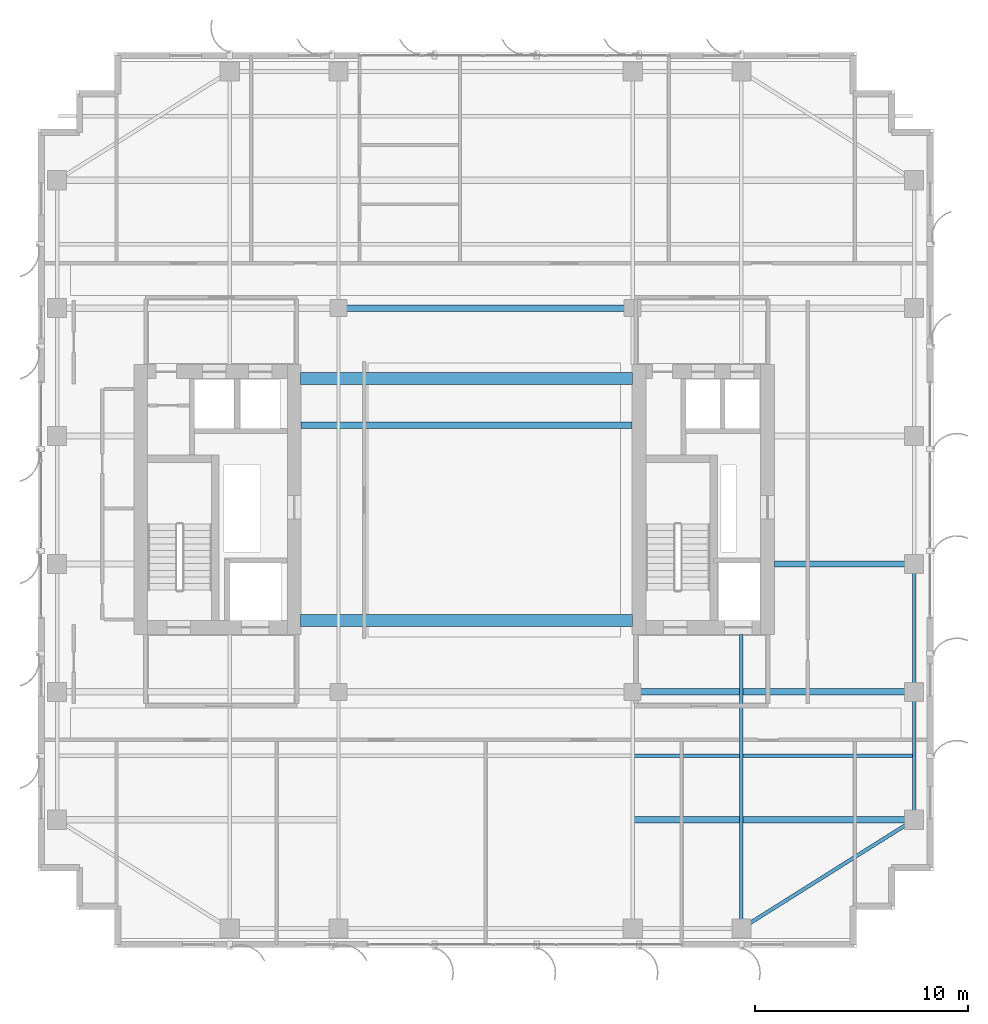
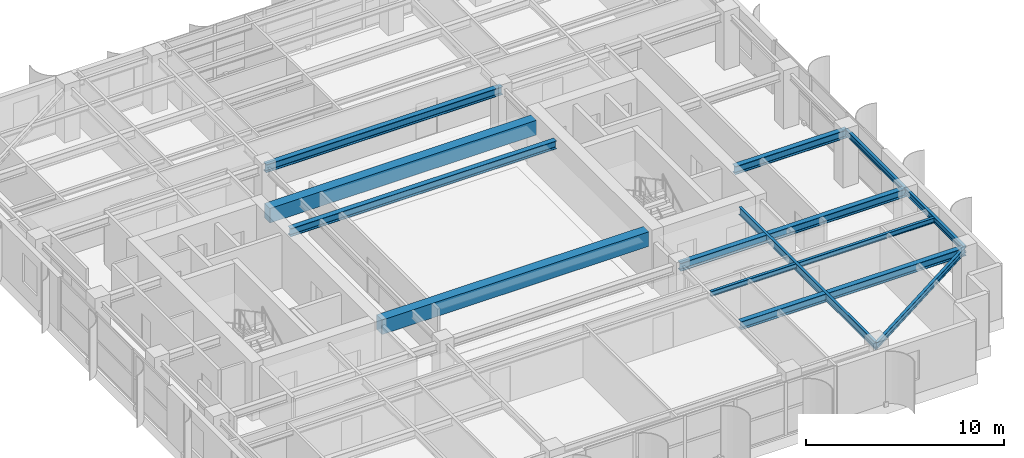
# One storey, part 10 of 25: 12 beams.
"""IFC4 building model written with IfcOpenShell, lengths in metres."""

from ifc_helpers import new_model, si_unit, direction, frame, origin, origin_2d, place, context, subcontext, project, spatial, rectangle, i_section, extrude, source, transform, mapped, material, material_profile, profile_set, type_object, element, save


model = new_model("IFC4")

# Units and contexts
model_context = context("Model", 3, precision=1e-05, world=origin(), true_north=direction((0.0, 1.0)))
body_context = subcontext(model_context, "Body", "Model", "MODEL_VIEW")
ifc_project = project(units=[si_unit("LENGTHUNIT", "METRE"), si_unit("AREAUNIT", "SQUARE_METRE"), si_unit("VOLUMEUNIT", "CUBIC_METRE"), si_unit("PLANEANGLEUNIT", "RADIAN"), si_unit("MASSUNIT", "GRAM", prefix="KILO")], contexts=[model_context])

# Site, building, storey
site_placement = place(None, origin())
site = spatial("IfcSite", under=ifc_project, at=site_placement, CompositionType="ELEMENT")
building_placement = place(site_placement, origin())
building = spatial("IfcBuilding", under=site, at=building_placement, Name="Khoralis Quay Care Tower", CompositionType="ELEMENT")
storey_placement = place(building_placement, frame((0.0, 0.0, 216.89990234375)))
storey = spatial("IfcBuildingStorey", under=building, at=storey_placement, Name="L57", CompositionType="ELEMENT", Elevation=216.89990234375)

# Beams
ifc_material_1 = material(Name="Concrete C65/80", Category="concrete")
ifc_material_profile_1 = material_profile(ifc_material_1, rectangle(XDim=0.550048828125, YDim=0.89990234375, at=origin_2d()), Name="Concrete C65/80")
ifc_profile_set_1 = profile_set([ifc_material_profile_1], Name="Concrete C65/80")
beam_type_1 = type_object("IfcBeamType", Name="CB-RC550X900", PredefinedType="LINTEL", material=ifc_profile_set_1)
shared_shape_1 = source(origin(), body_context, "Body", "SweptSolid", [
    extrude(rectangle(XDim=0.550048828125, YDim=0.89990234375, at=origin_2d()), origin(), (0.0, 0.0, 1.0), 15.579833984375),
])
for number, where, z_axis, x_axis, name in (
    (1, (15.320068359375, 15.35009765625, 2.830078125), (1.0, 0.0, 0.0), (0.0, 1.0, 0.0), "L57 South Core Coupling Lintel"),
    (2, (15.320068359375, 26.699951171875, 2.830078125), (1.0, 0.0, 0.0), (0.0, 1.0, 0.0), "L57 North Core Coupling Lintel"),
):
    element("IfcBeam", number, at=place(storey_placement, frame(where, z_axis=z_axis, x_axis=x_axis)), inside=storey, type_object=beam_type_1, Name=name, PredefinedType="LINTEL", context=body_context, shape_type="MappedRepresentation", body=[
        mapped(shared_shape_1, transform((0.0, 0.0, 0.0), scale=1.0)),
    ])
ifc_material_2 = material(Name="Steel S355", Category="steel")
ifc_material_profile_2 = material_profile(ifc_material_2, i_section(OverallWidth=0.169921875, OverallDepth=0.360107421875, WebThickness=0.008056640625, FlangeThickness=0.0126953125, FilletRadius=0.01806640625, at=origin_2d()), Name="Steel S355")
ifc_profile_set_2 = profile_set([ifc_material_profile_2], Name="Steel S355")
beam_type_2 = type_object("IfcBeamType", Name="BM-IPE360", PredefinedType="SPANDREL", material=ifc_profile_set_2)
shared_shape_2 = source(origin(), body_context, "Body", "SweptSolid", [
    extrude(i_section(OverallWidth=0.169921875, OverallDepth=0.360107421875, WebThickness=0.008056640625, FlangeThickness=0.0126953125, FilletRadius=0.01806640625, at=origin_2d()), origin(), (0.0, 0.0, 1.0), 6.0),
])
for number, where, z_axis, x_axis, name in (
    (3, (44.10009765625, 6.0, 3.10009765625), (0.0, 1.0, 0.0), (-1.0, 0.0, 0.0), "BM-TSP-L57-12"),
    (4, (44.10009765625, 12.0, 3.10009765625), (0.0, 1.0, 0.0), (-1.0, 0.0, 0.0), "BM-TSP-L57-13"),
):
    element("IfcBeam", number, at=place(storey_placement, frame(where, z_axis=z_axis, x_axis=x_axis)), inside=storey, type_object=beam_type_2, Name=name, PredefinedType="SPANDREL", context=body_context, shape_type="MappedRepresentation", body=[
        mapped(shared_shape_2, transform((0.0, 0.0, 0.0), scale=1.0)),
    ])
shared_shape_3 = source(origin(), body_context, "Body", "SweptSolid", [
    extrude(i_section(OverallWidth=0.169921875, OverallDepth=0.360107421875, WebThickness=0.008056640625, FlangeThickness=0.0126953125, FilletRadius=0.01806640625, at=origin_2d()), origin(), (0.0, 0.0, 1.0), 9.572021484375),
])
beam_1_placement = place(storey_placement, frame((36.0, 0.89990234375, 3.10009765625), z_axis=(0.846231136359, 0.532815975602, 0.0), x_axis=(-0.532815975602, 0.846231136359, 0.0)))
element("IfcBeam", 5, at=beam_1_placement, inside=storey, type_object=beam_type_2, Name="BM-TCR-L57-18", PredefinedType="SPANDREL", context=body_context, shape_type="MappedRepresentation", body=[
    mapped(shared_shape_3, transform((0.0, 0.0, 0.0), scale=1.0)),
])
ifc_material_profile_3 = material_profile(ifc_material_2, i_section(OverallWidth=0.300048828125, OverallDepth=0.5, WebThickness=0.014404296875, FlangeThickness=0.028076171875, FilletRadius=0.027099609375, at=origin_2d()), Name="Steel S355")
ifc_profile_set_3 = profile_set([ifc_material_profile_3], Name="Steel S355")
beam_type_3 = type_object("IfcBeamType", Name="BM-HEB500", PredefinedType="BEAM", material=ifc_profile_set_3)
shared_shape_4 = source(origin(), body_context, "Body", "SweptSolid", [
    extrude(i_section(OverallWidth=0.300048828125, OverallDepth=0.5, WebThickness=0.014404296875, FlangeThickness=0.028076171875, FilletRadius=0.027099609375, at=origin_2d()), origin(), (0.0, 0.0, 1.0), 13.135009765625),
])
beam_2_placement = place(storey_placement, frame((30.965087890625, 6.0, 3.030029296875), z_axis=(1.0, 0.0, 0.0), x_axis=(0.0, 1.0, 0.0)))
element("IfcBeam", 6, at=beam_2_placement, inside=storey, type_object=beam_type_3, Name="BM-TGXE-L57-60", PredefinedType="BEAM", context=body_context, shape_type="MappedRepresentation", body=[
    mapped(shared_shape_4, transform((0.0, 0.0, 0.0), scale=1.0)),
])
shared_shape_5 = source(origin(), body_context, "Body", "SweptSolid", [
    extrude(i_section(OverallWidth=0.300048828125, OverallDepth=0.5, WebThickness=0.014404296875, FlangeThickness=0.028076171875, FilletRadius=0.027099609375, at=origin_2d()), origin(), (0.0, 0.0, 1.0), 13.2001953125),
])
beam_3_placement = place(storey_placement, frame((30.89990234375, 12.0, 3.030029296875), z_axis=(1.0, 0.0, 0.0), x_axis=(0.0, 1.0, 0.0)))
element("IfcBeam", 7, at=beam_3_placement, inside=storey, type_object=beam_type_3, Name="BM-TGXE-L57-120", PredefinedType="BEAM", context=body_context, shape_type="MappedRepresentation", body=[
    mapped(shared_shape_5, transform((0.0, 0.0, 0.0), scale=1.0)),
])
shared_shape_6 = source(origin(), body_context, "Body", "SweptSolid", [
    extrude(i_section(OverallWidth=0.300048828125, OverallDepth=0.5, WebThickness=0.014404296875, FlangeThickness=0.028076171875, FilletRadius=0.027099609375, at=origin_2d()), origin(), (0.0, 0.0, 1.0), 6.552001953125),
])
beam_4_placement = place(storey_placement, frame((37.548095703125, 18.0, 3.030029296875), z_axis=(1.0, 0.0, 0.0), x_axis=(0.0, 1.0, 0.0)))
element("IfcBeam", 8, at=beam_4_placement, inside=storey, type_object=beam_type_3, Name="BM-TGXE-L57-180", PredefinedType="BEAM", context=body_context, shape_type="MappedRepresentation", body=[
    mapped(shared_shape_6, transform((0.0, 0.0, 0.0), scale=1.0)),
])
ifc_material_profile_4 = material_profile(ifc_material_2, i_section(OverallWidth=0.154052734375, OverallDepth=0.458984375, WebThickness=0.009033203125, FlangeThickness=0.015380859375, FilletRadius=0.014892578125, at=origin_2d()), Name="Steel S355")
ifc_profile_set_4 = profile_set([ifc_material_profile_4], Name="Steel S355")
beam_type_4 = type_object("IfcBeamType", Name="BM-W460X68", PredefinedType="BEAM", material=ifc_profile_set_4)
shared_shape_7 = source(origin(), body_context, "Body", "SweptSolid", [
    extrude(i_section(OverallWidth=0.154052734375, OverallDepth=0.458984375, WebThickness=0.009033203125, FlangeThickness=0.015380859375, FilletRadius=0.014892578125, at=origin_2d()), origin(), (0.0, 0.0, 1.0), 13.802001953125),
])
beam_5_placement = place(storey_placement, frame((36.0, 0.89990234375, 3.050537109375), z_axis=(0.0, 1.0, 0.0), x_axis=(-1.0, 0.0, 0.0)))
element("IfcBeam", 9, at=beam_5_placement, inside=storey, type_object=beam_type_4, Name="BM-TGYS-L57-360", PredefinedType="BEAM", context=body_context, shape_type="MappedRepresentation", body=[
    mapped(shared_shape_7, transform((0.0, 0.0, 0.0), scale=1.0)),
])
ifc_material_profile_5 = material_profile(ifc_material_2, i_section(OverallWidth=0.1650390625, OverallDepth=0.31005859375, WebThickness=0.005859375, FlangeThickness=0.009765625, FilletRadius=0.011962890625, at=origin_2d()), Name="Steel S355")
ifc_profile_set_5 = profile_set([ifc_material_profile_5], Name="Steel S355")
beam_type_5 = type_object("IfcBeamType", Name="BM-W310X39", PredefinedType="JOIST", material=ifc_profile_set_5)
shared_shape_8 = source(origin(), body_context, "Body", "SweptSolid", [
    extrude(i_section(OverallWidth=0.1650390625, OverallDepth=0.31005859375, WebThickness=0.005859375, FlangeThickness=0.009765625, FilletRadius=0.011962890625, at=origin_2d()), origin(), (0.0, 0.0, 1.0), 13.06396484375),
])
beam_6_placement = place(storey_placement, frame((30.965087890625, 9.0, 3.125), z_axis=(1.0, 0.0, 0.0), x_axis=(0.0, 1.0, 0.0)))
element("IfcBeam", 10, at=beam_6_placement, inside=storey, type_object=beam_type_5, Name="BM-TJS-L57-22", PredefinedType="JOIST", context=body_context, shape_type="MappedRepresentation", body=[
    mapped(shared_shape_8, transform((0.0, 0.0, 0.0), scale=1.0)),
])
shared_shape_9 = source(origin(), body_context, "Body", "SweptSolid", [
    extrude(i_section(OverallWidth=0.300048828125, OverallDepth=0.5, WebThickness=0.014404296875, FlangeThickness=0.028076171875, FilletRadius=0.027099609375, at=origin_2d()), origin(), (0.0, 0.0, 1.0), 13.7998046875),
])
beam_7_placement = place(storey_placement, frame((17.10009765625, 30.0, 3.030029296875), z_axis=(1.0, 0.0, 0.0), x_axis=(0.0, 1.0, 0.0)))
element("IfcBeam", 11, at=beam_7_placement, inside=storey, type_object=beam_type_3, Name="BM-TGCC-L57-300", PredefinedType="BEAM", context=body_context, shape_type="MappedRepresentation", body=[
    mapped(shared_shape_9, transform((0.0, 0.0, 0.0), scale=1.0)),
])
shared_shape_10 = source(origin(), body_context, "Body", "SweptSolid", [
    extrude(i_section(OverallWidth=0.300048828125, OverallDepth=0.5, WebThickness=0.014404296875, FlangeThickness=0.028076171875, FilletRadius=0.027099609375, at=origin_2d()), origin(), (0.0, 0.0, 1.0), 15.524169921875),
])
beam_8_placement = place(storey_placement, frame((15.347900390625, 24.5, 3.030029296875), z_axis=(1.0, 0.0, 0.0), x_axis=(0.0, 1.0, 0.0)))
element("IfcBeam", 12, at=beam_8_placement, inside=storey, type_object=beam_type_3, Name="BM-TGCC-L57-245", PredefinedType="BEAM", context=body_context, shape_type="MappedRepresentation", body=[
    mapped(shared_shape_10, transform((0.0, 0.0, 0.0), scale=1.0)),
])

save(model, "model.ifc")
